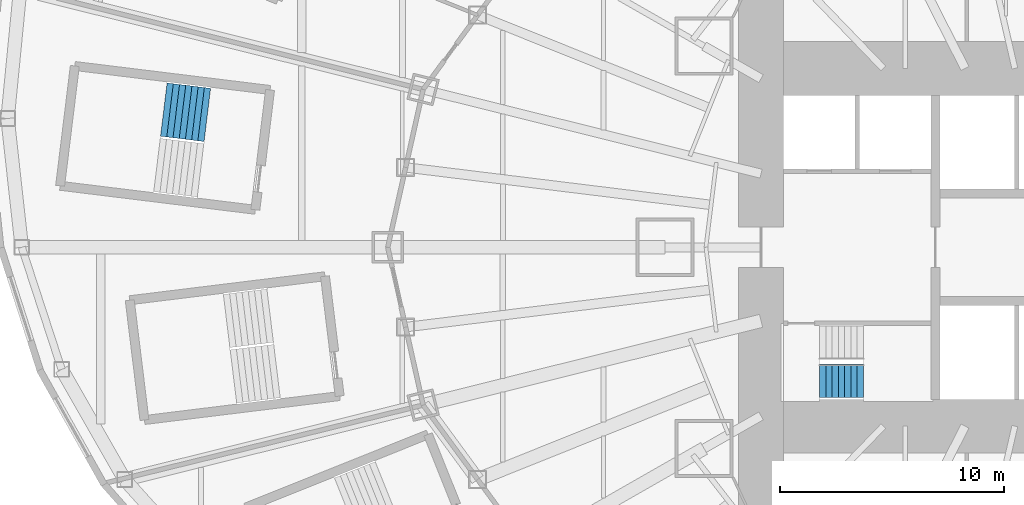
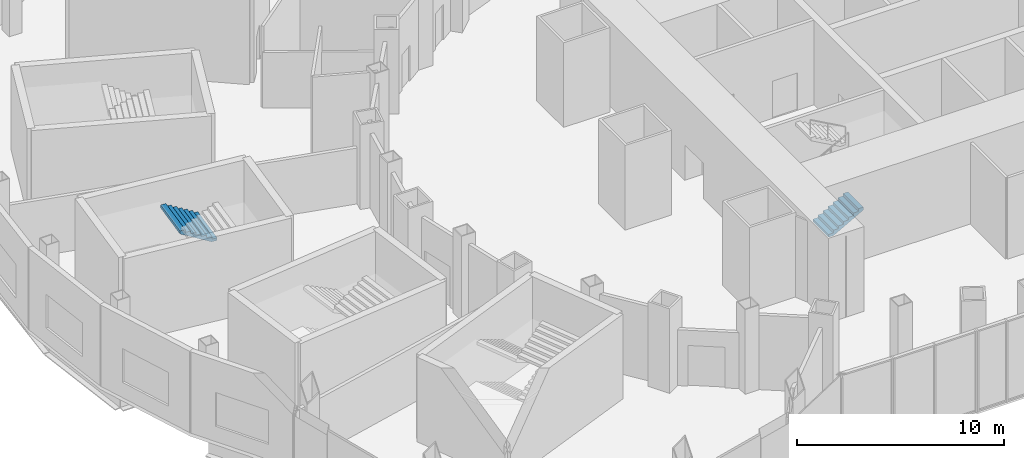
# One storey, part 30 of 73: 2 stair flights, 2 elements without a shape of their own.
"""IFC4 building model written with IfcOpenShell, lengths in metres."""

from ifc_helpers import new_model, si_unit, direction, frame, origin, place, context, subcontext, project, spatial, triangles, material, type_object, element, aggregate, save


model = new_model("IFC4")

# Units and contexts
model_context = context("Model", 3, precision=1e-05, world=origin(), true_north=direction((0.0, 1.0)))
body_context = subcontext(model_context, "Body", "Model", "MODEL_VIEW")
ifc_project = project(units=[si_unit("LENGTHUNIT", "METRE"), si_unit("AREAUNIT", "SQUARE_METRE"), si_unit("VOLUMEUNIT", "CUBIC_METRE"), si_unit("PLANEANGLEUNIT", "RADIAN"), si_unit("MASSUNIT", "GRAM", prefix="KILO")], contexts=[model_context])

# Site, building, storey
site_placement = place(None, origin())
site = spatial("IfcSite", under=ifc_project, at=site_placement, CompositionType="ELEMENT")
building_placement = place(site_placement, origin())
building = spatial("IfcBuilding", under=site, at=building_placement, Name="Lantaw Convention Tower", CompositionType="ELEMENT")
storey_placement = place(building_placement, frame((0.0, 0.0, 22.0)))
storey = spatial("IfcBuildingStorey", under=building, at=storey_placement, Name="L03", CompositionType="ELEMENT", Elevation=22.0)

# Stair, stair flight
ifc_material = material(Name="Concrete C35/45", Category="concrete")
stair_type_1 = type_object("IfcStairType", Name="Exit stair 1500 riser 156.25 in 4 flights", PredefinedType="HALF_TURN_STAIR", material=ifc_material)
stair_1_placement = place(storey_placement, origin())
stair_1 = element("IfcStair", 1, at=stair_1_placement, inside=storey, type_object=stair_type_1, Name="Exit stair S1 L03", PredefinedType="HALF_TURN_STAIR")
stair_flight_type_1 = type_object("IfcStairFlightType", Name="Stair flight 1500 riser 156.25", PredefinedType="STRAIGHT", material=ifc_material)
stair_flight_1_placement = place(storey_placement, frame((-10.580078125, -5.97998046875, 0.0), z_axis=(0.0, 0.0, 1.0), x_axis=(1.0, 0.0, 0.0)))
stair_flight_1 = element("IfcStairFlight", 2, at=stair_flight_1_placement, type_object=stair_flight_type_1, Name="S1 flight 1", NumberOfRisers=8, NumberOfTreads=7, PredefinedType="STRAIGHT", RiserHeight=0.15625, TreadLength=0.28, context=body_context, shape_type="Tessellation", body=[
    triangles([(0.0, 0.75, 0.0), (0.0, 0.75, 0.15625), (0.28, 0.75, 0.0), (0.28, 0.75, 0.15625), (0.28, 0.75, 0.3125), (0.3076200632058044, 0.75, 0.0), (0.3076200632058044, 0.75, 0.3125), (0.56, 0.75, 0.14083701830033238), (0.56, 0.75, 0.3125), (0.56, 0.75, 0.46875), (0.8400000000000001, 0.75, 0.29708701830033235), (0.8400000000000001, 0.75, 0.46875), (0.8400000000000001, 0.75, 0.625), (1.12, 0.75, 0.45333701830033235), (1.12, 0.75, 0.625), (1.12, 0.75, 0.78125), (1.4000000000000001, 0.75, 0.6095870183003324), (1.4000000000000001, 0.75, 0.78125), (1.4000000000000001, 0.75, 0.9375), (1.6800000000000002, 0.75, 0.7658370183003324), (1.6800000000000002, 0.75, 0.9375), (1.6800000000000002, 0.75, 1.09375), (1.9600000000000002, 0.75, 0.9220870183003324), (1.9600000000000002, 0.75, 1.09375), (0.0, -0.75, 0.0), (0.0, -0.75, 0.15625), (0.28, -0.75, 0.0), (0.28, -0.75, 0.15625), (0.28, -0.75, 0.3125), (0.3076200632058044, -0.75, 0.0), (0.3076200632058044, -0.75, 0.3125), (0.56, -0.75, 0.14083701830033238), (0.56, -0.75, 0.3125), (0.56, -0.75, 0.46875), (0.8400000000000001, -0.75, 0.29708701830033235), (0.8400000000000001, -0.75, 0.46875), (0.8400000000000001, -0.75, 0.625), (1.12, -0.75, 0.45333701830033235), (1.12, -0.75, 0.625), (1.12, -0.75, 0.78125), (1.4000000000000001, -0.75, 0.6095870183003324), (1.4000000000000001, -0.75, 0.78125), (1.4000000000000001, -0.75, 0.9375), (1.6800000000000002, -0.75, 0.7658370183003324), (1.6800000000000002, -0.75, 0.9375), (1.6800000000000002, -0.75, 1.09375), (1.9600000000000002, -0.75, 0.9220870183003324), (1.9600000000000002, -0.75, 1.09375), (0.0, 0.15000000000000002, 0.15625), (0.0, 0.15000000000000002, 0.0), (0.0, 0.0, 0.15625), (0.0, 0.0, 0.0), (0.0, -0.15000000000000002, 0.15625), (0.0, -0.15000000000000002, 0.0), (0.28, 0.15000000000000002, 0.3125), (0.28, 0.15000000000000002, 0.15625), (0.28, 0.0, 0.3125), (0.28, 0.0, 0.15625), (0.28, -0.15000000000000002, 0.3125), (0.28, -0.15000000000000002, 0.15625), (0.56, 0.15000000000000002, 0.46875), (0.56, 0.15000000000000002, 0.3125), (0.56, 0.0, 0.46875), (0.56, 0.0, 0.3125), (0.56, -0.15000000000000002, 0.46875), (0.56, -0.15000000000000002, 0.3125), (0.8400000000000001, 0.15000000000000002, 0.625), (0.8400000000000001, 0.15000000000000002, 0.46875), (0.8400000000000001, 0.0, 0.625), (0.8400000000000001, 0.0, 0.46875), (0.8400000000000001, -0.15000000000000002, 0.625), (0.8400000000000001, -0.15000000000000002, 0.46875), (1.12, 0.15000000000000002, 0.78125), (1.12, 0.15000000000000002, 0.625), (1.12, 0.0, 0.78125), (1.12, 0.0, 0.625), (1.12, -0.15000000000000002, 0.78125), (1.12, -0.15000000000000002, 0.625), (1.4000000000000001, 0.15000000000000002, 0.9375), (1.4000000000000001, 0.15000000000000002, 0.78125), (1.4000000000000001, 0.0, 0.9375), (1.4000000000000001, 0.0, 0.78125), (1.4000000000000001, -0.15000000000000002, 0.9375), (1.4000000000000001, -0.15000000000000002, 0.78125), (1.6800000000000002, 0.15000000000000002, 1.09375), (1.6800000000000002, 0.15000000000000002, 0.9375), (1.6800000000000002, 0.0, 1.09375), (1.6800000000000002, 0.0, 0.9375), (1.6800000000000002, -0.15000000000000002, 1.09375), (1.6800000000000002, -0.15000000000000002, 0.9375), (0.3076200632058044, 0.15000000000000002, 0.3125), (0.3076200632058044, 0.0, 0.3125), (0.3076200632058044, -0.15000000000000002, 0.3125), (1.9600000000000002, 0.15000000000000002, 1.09375), (1.9600000000000002, 0.0, 1.09375), (1.9600000000000002, -0.15000000000000002, 1.09375), (1.9600000000000002, 0.15000000000000002, 0.9220870183003324), (1.9600000000000002, 0.0, 0.9220870183003324), (1.9600000000000002, -0.15000000000000002, 0.9220870183003324), (1.6800000000000002, 0.15000000000000002, 0.7658370183003324), (1.6800000000000002, 0.0, 0.7658370183003324), (1.6800000000000002, -0.15000000000000002, 0.7658370183003324), (1.4000000000000001, 0.15000000000000002, 0.6095870183003324), (1.4000000000000001, 0.0, 0.6095870183003324), (1.4000000000000001, -0.15000000000000002, 0.6095870183003324), (1.12, 0.15000000000000002, 0.45333701830033235), (1.12, 0.0, 0.45333701830033235), (1.12, -0.15000000000000002, 0.45333701830033235), (0.8400000000000001, 0.15000000000000002, 0.29708701830033235), (0.8400000000000001, 0.0, 0.29708701830033235), (0.8400000000000001, -0.15000000000000002, 0.29708701830033235), (0.56, 0.15000000000000002, 0.14083701830033238), (0.56, 0.0, 0.14083701830033238), (0.56, -0.15000000000000002, 0.14083701830033238), (0.3076200632058044, 0.15000000000000002, 0.0), (0.3076200632058044, 0.0, 0.0), (0.3076200632058044, -0.15000000000000002, 0.0), (0.28, 0.15000000000000002, 0.0), (0.28, 0.0, 0.0), (0.28, -0.15000000000000002, 0.0)], [[1, 4, 3], [1, 2, 4], [3, 4, 6], [4, 7, 6], [4, 5, 7], [6, 9, 8], [6, 7, 9], [8, 9, 11], [9, 12, 11], [9, 10, 12], [11, 12, 14], [12, 15, 14], [12, 13, 15], [14, 15, 17], [15, 18, 17], [15, 16, 18], [17, 18, 20], [18, 21, 20], [18, 19, 21], [20, 21, 23], [21, 24, 23], [21, 22, 24], [25, 27, 28], [25, 28, 26], [27, 30, 28], [28, 30, 31], [28, 31, 29], [30, 32, 33], [30, 33, 31], [32, 35, 33], [33, 35, 36], [33, 36, 34], [35, 38, 36], [36, 38, 39], [36, 39, 37], [38, 41, 39], [39, 41, 42], [39, 42, 40], [41, 44, 42], [42, 44, 45], [42, 45, 43], [44, 47, 45], [45, 47, 48], [45, 48, 46], [1, 49, 2], [1, 50, 49], [50, 51, 49], [50, 52, 51], [52, 53, 51], [52, 54, 53], [54, 26, 53], [54, 25, 26], [4, 55, 5], [4, 56, 55], [56, 57, 55], [56, 58, 57], [58, 59, 57], [58, 60, 59], [60, 29, 59], [60, 28, 29], [9, 61, 10], [9, 62, 61], [62, 63, 61], [62, 64, 63], [64, 65, 63], [64, 66, 65], [66, 34, 65], [66, 33, 34], [12, 67, 13], [12, 68, 67], [68, 69, 67], [68, 70, 69], [70, 71, 69], [70, 72, 71], [72, 37, 71], [72, 36, 37], [15, 73, 16], [15, 74, 73], [74, 75, 73], [74, 76, 75], [76, 77, 75], [76, 78, 77], [78, 40, 77], [78, 39, 40], [18, 79, 19], [18, 80, 79], [80, 81, 79], [80, 82, 81], [82, 83, 81], [82, 84, 83], [84, 43, 83], [84, 42, 43], [21, 85, 22], [21, 86, 85], [86, 87, 85], [86, 88, 87], [88, 89, 87], [88, 90, 89], [90, 46, 89], [90, 45, 46], [2, 56, 4], [2, 49, 56], [49, 58, 56], [49, 51, 58], [51, 60, 58], [51, 53, 60], [53, 28, 60], [53, 26, 28], [5, 91, 7], [5, 55, 91], [55, 92, 91], [55, 57, 92], [57, 93, 92], [57, 59, 93], [59, 31, 93], [59, 29, 31], [7, 62, 9], [7, 91, 62], [91, 64, 62], [91, 92, 64], [92, 66, 64], [92, 93, 66], [93, 33, 66], [93, 31, 33], [10, 68, 12], [10, 61, 68], [61, 70, 68], [61, 63, 70], [63, 72, 70], [63, 65, 72], [65, 36, 72], [65, 34, 36], [13, 74, 15], [13, 67, 74], [67, 76, 74], [67, 69, 76], [69, 78, 76], [69, 71, 78], [71, 39, 78], [71, 37, 39], [16, 80, 18], [16, 73, 80], [73, 82, 80], [73, 75, 82], [75, 84, 82], [75, 77, 84], [77, 42, 84], [77, 40, 42], [19, 86, 21], [19, 79, 86], [79, 88, 86], [79, 81, 88], [81, 90, 88], [81, 83, 90], [83, 45, 90], [83, 43, 45], [22, 94, 24], [22, 85, 94], [85, 95, 94], [85, 87, 95], [87, 96, 95], [87, 89, 96], [89, 48, 96], [89, 46, 48], [24, 97, 23], [24, 94, 97], [94, 98, 97], [94, 95, 98], [95, 99, 98], [95, 96, 99], [96, 47, 99], [96, 48, 47], [23, 100, 20], [23, 97, 100], [97, 101, 100], [97, 98, 101], [98, 102, 101], [98, 99, 102], [99, 44, 102], [99, 47, 44], [20, 103, 17], [20, 100, 103], [100, 104, 103], [100, 101, 104], [101, 105, 104], [101, 102, 105], [102, 41, 105], [102, 44, 41], [17, 106, 14], [17, 103, 106], [103, 107, 106], [103, 104, 107], [104, 108, 107], [104, 105, 108], [105, 38, 108], [105, 41, 38], [14, 109, 11], [14, 106, 109], [106, 110, 109], [106, 107, 110], [107, 111, 110], [107, 108, 111], [108, 35, 111], [108, 38, 35], [11, 112, 8], [11, 109, 112], [109, 113, 112], [109, 110, 113], [110, 114, 113], [110, 111, 114], [111, 32, 114], [111, 35, 32], [8, 115, 6], [8, 112, 115], [112, 116, 115], [112, 113, 116], [113, 117, 116], [113, 114, 117], [114, 30, 117], [114, 32, 30], [6, 118, 3], [6, 115, 118], [115, 119, 118], [115, 116, 119], [116, 120, 119], [116, 117, 120], [117, 27, 120], [117, 30, 27], [3, 50, 1], [3, 118, 50], [118, 52, 50], [118, 119, 52], [119, 54, 52], [119, 120, 54], [120, 25, 54], [120, 27, 25]], closed=True),
])
aggregate(stair_1, [stair_flight_1])

stair_type_2 = type_object("IfcStairType", Name="Exit stair 2400 riser 156.25 in 4 flights", PredefinedType="HALF_TURN_STAIR", material=ifc_material)
stair_2_placement = place(storey_placement, origin())
stair_2 = element("IfcStair", 3, at=stair_2_placement, inside=storey, type_object=stair_type_2, Name="Podium exit stair P9 L03", PredefinedType="HALF_TURN_STAIR")
stair_flight_type_2 = type_object("IfcStairFlightType", Name="Stair flight 2400 riser 156.25", PredefinedType="STRAIGHT", material=ifc_material)
stair_flight_2_placement = place(storey_placement, frame((-37.9716796875, 5.921630859375, 2.5), z_axis=(0.0, 0.0, 1.0), x_axis=(-0.992546151641, 0.121869343405, 0.0)))
stair_flight_2 = element("IfcStairFlight", 4, at=stair_flight_2_placement, type_object=stair_flight_type_2, Name="P9 flight 3", NumberOfRisers=8, NumberOfTreads=7, PredefinedType="STRAIGHT", RiserHeight=0.15625, TreadLength=0.28, context=body_context, shape_type="Tessellation", body=[
    triangles([(0.0, 1.199951171875, 0.0), (0.0, 1.199951171875, 0.15625), (0.28, 1.199951171875, 0.0), (0.28, 1.199951171875, 0.15625), (0.28, 1.199951171875, 0.3125), (0.3076200632058044, 1.199951171875, 0.0), (0.3076200632058044, 1.199951171875, 0.3125), (0.56, 1.199951171875, 0.14083701830033238), (0.56, 1.199951171875, 0.3125), (0.56, 1.199951171875, 0.46875), (0.8400000000000001, 1.199951171875, 0.29708701830033235), (0.8400000000000001, 1.199951171875, 0.46875), (0.8400000000000001, 1.199951171875, 0.625), (1.12, 1.199951171875, 0.45333701830033235), (1.12, 1.199951171875, 0.625), (1.12, 1.199951171875, 0.78125), (1.4000000000000001, 1.199951171875, 0.6095870183003324), (1.4000000000000001, 1.199951171875, 0.78125), (1.4000000000000001, 1.199951171875, 0.9375), (1.6800000000000002, 1.199951171875, 0.7658370183003324), (1.6800000000000002, 1.199951171875, 0.9375), (1.6800000000000002, 1.199951171875, 1.09375), (1.9600000000000002, 1.199951171875, 0.9220870183003324), (1.9600000000000002, 1.199951171875, 1.09375), (0.0, -1.199951171875, 0.0), (0.0, -1.199951171875, 0.15625), (0.28, -1.199951171875, 0.0), (0.28, -1.199951171875, 0.15625), (0.28, -1.199951171875, 0.3125), (0.3076200632058044, -1.199951171875, 0.0), (0.3076200632058044, -1.199951171875, 0.3125), (0.56, -1.199951171875, 0.14083701830033238), (0.56, -1.199951171875, 0.3125), (0.56, -1.199951171875, 0.46875), (0.8400000000000001, -1.199951171875, 0.29708701830033235), (0.8400000000000001, -1.199951171875, 0.46875), (0.8400000000000001, -1.199951171875, 0.625), (1.12, -1.199951171875, 0.45333701830033235), (1.12, -1.199951171875, 0.625), (1.12, -1.199951171875, 0.78125), (1.4000000000000001, -1.199951171875, 0.6095870183003324), (1.4000000000000001, -1.199951171875, 0.78125), (1.4000000000000001, -1.199951171875, 0.9375), (1.6800000000000002, -1.199951171875, 0.7658370183003324), (1.6800000000000002, -1.199951171875, 0.9375), (1.6800000000000002, -1.199951171875, 1.09375), (1.9600000000000002, -1.199951171875, 0.9220870183003324), (1.9600000000000002, -1.199951171875, 1.09375), (0.0, 0.239990234375, 0.15625), (0.0, 0.239990234375, 0.0), (0.0, 0.1919921875, 0.15625), (0.0, 0.1919921875, 0.0), (0.0, 0.143994140625, 0.15625), (0.0, 0.143994140625, 0.0), (0.0, 0.09599609375, 0.15625), (0.0, 0.09599609375, 0.0), (0.0, 0.047998046875, 0.15625), (0.0, 0.047998046875, 0.0), (0.0, 0.0, 0.15625), (0.0, 0.0, 0.0), (0.0, -0.047998046875, 0.15625), (0.0, -0.047998046875, 0.0), (0.0, -0.09599609375, 0.15625), (0.0, -0.09599609375, 0.0), (0.0, -0.143994140625, 0.15625), (0.0, -0.143994140625, 0.0), (0.0, -0.1919921875, 0.15625), (0.0, -0.1919921875, 0.0), (0.0, -0.239990234375, 0.15625), (0.0, -0.239990234375, 0.0), (0.28, 0.239990234375, 0.3125), (0.28, 0.239990234375, 0.15625), (0.28, 0.1919921875, 0.3125), (0.28, 0.1919921875, 0.15625), (0.28, 0.143994140625, 0.3125), (0.28, 0.143994140625, 0.15625), (0.28, 0.09599609375, 0.3125), (0.28, 0.09599609375, 0.15625), (0.28, 0.047998046875, 0.3125), (0.28, 0.047998046875, 0.15625), (0.28, 0.0, 0.3125), (0.28, 0.0, 0.15625), (0.28, -0.047998046875, 0.3125), (0.28, -0.047998046875, 0.15625), (0.28, -0.09599609375, 0.3125), (0.28, -0.09599609375, 0.15625), (0.28, -0.143994140625, 0.3125), (0.28, -0.143994140625, 0.15625), (0.28, -0.1919921875, 0.3125), (0.28, -0.1919921875, 0.15625), (0.28, -0.239990234375, 0.3125), (0.28, -0.239990234375, 0.15625), (0.56, 0.239990234375, 0.46875), (0.56, 0.239990234375, 0.3125), (0.56, 0.1919921875, 0.46875), (0.56, 0.1919921875, 0.3125), (0.56, 0.143994140625, 0.46875), (0.56, 0.143994140625, 0.3125), (0.56, 0.09599609375, 0.46875), (0.56, 0.09599609375, 0.3125), (0.56, 0.047998046875, 0.46875), (0.56, 0.047998046875, 0.3125), (0.56, 0.0, 0.46875), (0.56, 0.0, 0.3125), (0.56, -0.047998046875, 0.46875), (0.56, -0.047998046875, 0.3125), (0.56, -0.09599609375, 0.46875), (0.56, -0.09599609375, 0.3125), (0.56, -0.143994140625, 0.46875), (0.56, -0.143994140625, 0.3125), (0.56, -0.1919921875, 0.46875), (0.56, -0.1919921875, 0.3125), (0.56, -0.239990234375, 0.46875), (0.56, -0.239990234375, 0.3125), (0.8400000000000001, 0.239990234375, 0.625), (0.8400000000000001, 0.239990234375, 0.46875), (0.8400000000000001, 0.1919921875, 0.625), (0.8400000000000001, 0.1919921875, 0.46875), (0.8400000000000001, 0.143994140625, 0.625), (0.8400000000000001, 0.143994140625, 0.46875), (0.8400000000000001, 0.09599609375, 0.625), (0.8400000000000001, 0.09599609375, 0.46875), (0.8400000000000001, 0.047998046875, 0.625), (0.8400000000000001, 0.047998046875, 0.46875), (0.8400000000000001, 0.0, 0.625), (0.8400000000000001, 0.0, 0.46875), (0.8400000000000001, -0.047998046875, 0.625), (0.8400000000000001, -0.047998046875, 0.46875), (0.8400000000000001, -0.09599609375, 0.625), (0.8400000000000001, -0.09599609375, 0.46875), (0.8400000000000001, -0.143994140625, 0.625), (0.8400000000000001, -0.143994140625, 0.46875), (0.8400000000000001, -0.1919921875, 0.625), (0.8400000000000001, -0.1919921875, 0.46875), (0.8400000000000001, -0.239990234375, 0.625), (0.8400000000000001, -0.239990234375, 0.46875), (1.12, 0.239990234375, 0.78125), (1.12, 0.239990234375, 0.625), (1.12, 0.1919921875, 0.78125), (1.12, 0.1919921875, 0.625), (1.12, 0.143994140625, 0.78125), (1.12, 0.143994140625, 0.625), (1.12, 0.09599609375, 0.78125), (1.12, 0.09599609375, 0.625), (1.12, 0.047998046875, 0.78125), (1.12, 0.047998046875, 0.625), (1.12, 0.0, 0.78125), (1.12, 0.0, 0.625), (1.12, -0.047998046875, 0.78125), (1.12, -0.047998046875, 0.625), (1.12, -0.09599609375, 0.78125), (1.12, -0.09599609375, 0.625), (1.12, -0.143994140625, 0.78125), (1.12, -0.143994140625, 0.625), (1.12, -0.1919921875, 0.78125), (1.12, -0.1919921875, 0.625), (1.12, -0.239990234375, 0.78125), (1.12, -0.239990234375, 0.625), (1.4000000000000001, 0.239990234375, 0.9375), (1.4000000000000001, 0.239990234375, 0.78125), (1.4000000000000001, 0.1919921875, 0.9375), (1.4000000000000001, 0.1919921875, 0.78125), (1.4000000000000001, 0.143994140625, 0.9375), (1.4000000000000001, 0.143994140625, 0.78125), (1.4000000000000001, 0.09599609375, 0.9375), (1.4000000000000001, 0.09599609375, 0.78125), (1.4000000000000001, 0.047998046875, 0.9375), (1.4000000000000001, 0.047998046875, 0.78125), (1.4000000000000001, 0.0, 0.9375), (1.4000000000000001, 0.0, 0.78125), (1.4000000000000001, -0.047998046875, 0.9375), (1.4000000000000001, -0.047998046875, 0.78125), (1.4000000000000001, -0.09599609375, 0.9375), (1.4000000000000001, -0.09599609375, 0.78125), (1.4000000000000001, -0.143994140625, 0.9375), (1.4000000000000001, -0.143994140625, 0.78125), (1.4000000000000001, -0.1919921875, 0.9375), (1.4000000000000001, -0.1919921875, 0.78125), (1.4000000000000001, -0.239990234375, 0.9375), (1.4000000000000001, -0.239990234375, 0.78125), (1.6800000000000002, 0.239990234375, 1.09375), (1.6800000000000002, 0.239990234375, 0.9375), (1.6800000000000002, 0.1919921875, 1.09375), (1.6800000000000002, 0.1919921875, 0.9375), (1.6800000000000002, 0.143994140625, 1.09375), (1.6800000000000002, 0.143994140625, 0.9375), (1.6800000000000002, 0.09599609375, 1.09375), (1.6800000000000002, 0.09599609375, 0.9375), (1.6800000000000002, 0.047998046875, 1.09375), (1.6800000000000002, 0.047998046875, 0.9375), (1.6800000000000002, 0.0, 1.09375), (1.6800000000000002, 0.0, 0.9375), (1.6800000000000002, -0.047998046875, 1.09375), (1.6800000000000002, -0.047998046875, 0.9375), (1.6800000000000002, -0.09599609375, 1.09375), (1.6800000000000002, -0.09599609375, 0.9375), (1.6800000000000002, -0.143994140625, 1.09375), (1.6800000000000002, -0.143994140625, 0.9375), (1.6800000000000002, -0.1919921875, 1.09375), (1.6800000000000002, -0.1919921875, 0.9375), (1.6800000000000002, -0.239990234375, 1.09375), (1.6800000000000002, -0.239990234375, 0.9375), (0.3076200632058044, 0.239990234375, 0.3125), (0.3076200632058044, 0.1919921875, 0.3125), (0.3076200632058044, 0.143994140625, 0.3125), (0.3076200632058044, 0.09599609375, 0.3125), (0.3076200632058044, 0.047998046875, 0.3125), (0.3076200632058044, 0.0, 0.3125), (0.3076200632058044, -0.047998046875, 0.3125), (0.3076200632058044, -0.09599609375, 0.3125), (0.3076200632058044, -0.143994140625, 0.3125), (0.3076200632058044, -0.1919921875, 0.3125), (0.3076200632058044, -0.239990234375, 0.3125), (1.9600000000000002, 0.239990234375, 1.09375), (1.9600000000000002, 0.1919921875, 1.09375), (1.9600000000000002, 0.143994140625, 1.09375), (1.9600000000000002, 0.09599609375, 1.09375), (1.9600000000000002, 0.047998046875, 1.09375), (1.9600000000000002, 0.0, 1.09375), (1.9600000000000002, -0.047998046875, 1.09375), (1.9600000000000002, -0.09599609375, 1.09375), (1.9600000000000002, -0.143994140625, 1.09375), (1.9600000000000002, -0.1919921875, 1.09375), (1.9600000000000002, -0.239990234375, 1.09375), (1.9600000000000002, 0.239990234375, 0.9220870183003324), (1.9600000000000002, 0.1919921875, 0.9220870183003324), (1.9600000000000002, 0.143994140625, 0.9220870183003324), (1.9600000000000002, 0.09599609375, 0.9220870183003324), (1.9600000000000002, 0.047998046875, 0.9220870183003324), (1.9600000000000002, 0.0, 0.9220870183003324), (1.9600000000000002, -0.047998046875, 0.9220870183003324), (1.9600000000000002, -0.09599609375, 0.9220870183003324), (1.9600000000000002, -0.143994140625, 0.9220870183003324), (1.9600000000000002, -0.1919921875, 0.9220870183003324), (1.9600000000000002, -0.239990234375, 0.9220870183003324), (1.6800000000000002, 0.239990234375, 0.7658370183003324), (1.6800000000000002, 0.1919921875, 0.7658370183003324), (1.6800000000000002, 0.143994140625, 0.7658370183003324), (1.6800000000000002, 0.09599609375, 0.7658370183003324), (1.6800000000000002, 0.047998046875, 0.7658370183003324), (1.6800000000000002, 0.0, 0.7658370183003324), (1.6800000000000002, -0.047998046875, 0.7658370183003324), (1.6800000000000002, -0.09599609375, 0.7658370183003324), (1.6800000000000002, -0.143994140625, 0.7658370183003324), (1.6800000000000002, -0.1919921875, 0.7658370183003324), (1.6800000000000002, -0.239990234375, 0.7658370183003324), (1.4000000000000001, 0.239990234375, 0.6095870183003324), (1.4000000000000001, 0.1919921875, 0.6095870183003324), (1.4000000000000001, 0.143994140625, 0.6095870183003324), (1.4000000000000001, 0.09599609375, 0.6095870183003324), (1.4000000000000001, 0.047998046875, 0.6095870183003324), (1.4000000000000001, 0.0, 0.6095870183003324), (1.4000000000000001, -0.047998046875, 0.6095870183003324), (1.4000000000000001, -0.09599609375, 0.6095870183003324), (1.4000000000000001, -0.143994140625, 0.6095870183003324), (1.4000000000000001, -0.1919921875, 0.6095870183003324), (1.4000000000000001, -0.239990234375, 0.6095870183003324), (1.12, 0.239990234375, 0.45333701830033235), (1.12, 0.1919921875, 0.45333701830033235), (1.12, 0.143994140625, 0.45333701830033235), (1.12, 0.09599609375, 0.45333701830033235), (1.12, 0.047998046875, 0.45333701830033235), (1.12, 0.0, 0.45333701830033235), (1.12, -0.047998046875, 0.45333701830033235), (1.12, -0.09599609375, 0.45333701830033235), (1.12, -0.143994140625, 0.45333701830033235), (1.12, -0.1919921875, 0.45333701830033235), (1.12, -0.239990234375, 0.45333701830033235), (0.8400000000000001, 0.239990234375, 0.29708701830033235), (0.8400000000000001, 0.1919921875, 0.29708701830033235), (0.8400000000000001, 0.143994140625, 0.29708701830033235), (0.8400000000000001, 0.09599609375, 0.29708701830033235), (0.8400000000000001, 0.047998046875, 0.29708701830033235), (0.8400000000000001, 0.0, 0.29708701830033235), (0.8400000000000001, -0.047998046875, 0.29708701830033235), (0.8400000000000001, -0.09599609375, 0.29708701830033235), (0.8400000000000001, -0.143994140625, 0.29708701830033235), (0.8400000000000001, -0.1919921875, 0.29708701830033235), (0.8400000000000001, -0.239990234375, 0.29708701830033235), (0.56, 0.239990234375, 0.14083701830033238), (0.56, 0.1919921875, 0.14083701830033238), (0.56, 0.143994140625, 0.14083701830033238), (0.56, 0.09599609375, 0.14083701830033238), (0.56, 0.047998046875, 0.14083701830033238), (0.56, 0.0, 0.14083701830033238), (0.56, -0.047998046875, 0.14083701830033238), (0.56, -0.09599609375, 0.14083701830033238), (0.56, -0.143994140625, 0.14083701830033238), (0.56, -0.1919921875, 0.14083701830033238), (0.56, -0.239990234375, 0.14083701830033238), (0.3076200632058044, 0.239990234375, 0.0), (0.3076200632058044, 0.1919921875, 0.0), (0.3076200632058044, 0.143994140625, 0.0), (0.3076200632058044, 0.09599609375, 0.0), (0.3076200632058044, 0.047998046875, 0.0), (0.3076200632058044, 0.0, 0.0), (0.3076200632058044, -0.047998046875, 0.0), (0.3076200632058044, -0.09599609375, 0.0), (0.3076200632058044, -0.143994140625, 0.0), (0.3076200632058044, -0.1919921875, 0.0), (0.3076200632058044, -0.239990234375, 0.0), (0.28, 0.239990234375, 0.0), (0.28, 0.1919921875, 0.0), (0.28, 0.143994140625, 0.0), (0.28, 0.09599609375, 0.0), (0.28, 0.047998046875, 0.0), (0.28, 0.0, 0.0), (0.28, -0.047998046875, 0.0), (0.28, -0.09599609375, 0.0), (0.28, -0.143994140625, 0.0), (0.28, -0.1919921875, 0.0), (0.28, -0.239990234375, 0.0)], [[1, 4, 3], [1, 2, 4], [3, 4, 6], [4, 7, 6], [4, 5, 7], [6, 9, 8], [6, 7, 9], [8, 9, 11], [9, 12, 11], [9, 10, 12], [11, 12, 14], [12, 15, 14], [12, 13, 15], [14, 15, 17], [15, 18, 17], [15, 16, 18], [17, 18, 20], [18, 21, 20], [18, 19, 21], [20, 21, 23], [21, 24, 23], [21, 22, 24], [25, 27, 28], [25, 28, 26], [27, 30, 28], [28, 30, 31], [28, 31, 29], [30, 32, 33], [30, 33, 31], [32, 35, 33], [33, 35, 36], [33, 36, 34], [35, 38, 36], [36, 38, 39], [36, 39, 37], [38, 41, 39], [39, 41, 42], [39, 42, 40], [41, 44, 42], [42, 44, 45], [42, 45, 43], [44, 47, 45], [45, 47, 48], [45, 48, 46], [1, 49, 2], [1, 50, 49], [50, 51, 49], [50, 52, 51], [52, 53, 51], [52, 54, 53], [54, 55, 53], [54, 56, 55], [56, 57, 55], [56, 58, 57], [58, 59, 57], [58, 60, 59], [60, 61, 59], [60, 62, 61], [62, 63, 61], [62, 64, 63], [64, 65, 63], [64, 66, 65], [66, 67, 65], [66, 68, 67], [68, 69, 67], [68, 70, 69], [70, 26, 69], [70, 25, 26], [4, 71, 5], [4, 72, 71], [72, 73, 71], [72, 74, 73], [74, 75, 73], [74, 76, 75], [76, 77, 75], [76, 78, 77], [78, 79, 77], [78, 80, 79], [80, 81, 79], [80, 82, 81], [82, 83, 81], [82, 84, 83], [84, 85, 83], [84, 86, 85], [86, 87, 85], [86, 88, 87], [88, 89, 87], [88, 90, 89], [90, 91, 89], [90, 92, 91], [92, 29, 91], [92, 28, 29], [9, 93, 10], [9, 94, 93], [94, 95, 93], [94, 96, 95], [96, 97, 95], [96, 98, 97], [98, 99, 97], [98, 100, 99], [100, 101, 99], [100, 102, 101], [102, 103, 101], [102, 104, 103], [104, 105, 103], [104, 106, 105], [106, 107, 105], [106, 108, 107], [108, 109, 107], [108, 110, 109], [110, 111, 109], [110, 112, 111], [112, 113, 111], [112, 114, 113], [114, 34, 113], [114, 33, 34], [12, 115, 13], [12, 116, 115], [116, 117, 115], [116, 118, 117], [118, 119, 117], [118, 120, 119], [120, 121, 119], [120, 122, 121], [122, 123, 121], [122, 124, 123], [124, 125, 123], [124, 126, 125], [126, 127, 125], [126, 128, 127], [128, 129, 127], [128, 130, 129], [130, 131, 129], [130, 132, 131], [132, 133, 131], [132, 134, 133], [134, 135, 133], [134, 136, 135], [136, 37, 135], [136, 36, 37], [15, 137, 16], [15, 138, 137], [138, 139, 137], [138, 140, 139], [140, 141, 139], [140, 142, 141], [142, 143, 141], [142, 144, 143], [144, 145, 143], [144, 146, 145], [146, 147, 145], [146, 148, 147], [148, 149, 147], [148, 150, 149], [150, 151, 149], [150, 152, 151], [152, 153, 151], [152, 154, 153], [154, 155, 153], [154, 156, 155], [156, 157, 155], [156, 158, 157], [158, 40, 157], [158, 39, 40], [18, 159, 19], [18, 160, 159], [160, 161, 159], [160, 162, 161], [162, 163, 161], [162, 164, 163], [164, 165, 163], [164, 166, 165], [166, 167, 165], [166, 168, 167], [168, 169, 167], [168, 170, 169], [170, 171, 169], [170, 172, 171], [172, 173, 171], [172, 174, 173], [174, 175, 173], [174, 176, 175], [176, 177, 175], [176, 178, 177], [178, 179, 177], [178, 180, 179], [180, 43, 179], [180, 42, 43], [21, 181, 22], [21, 182, 181], [182, 183, 181], [182, 184, 183], [184, 185, 183], [184, 186, 185], [186, 187, 185], [186, 188, 187], [188, 189, 187], [188, 190, 189], [190, 191, 189], [190, 192, 191], [192, 193, 191], [192, 194, 193], [194, 195, 193], [194, 196, 195], [196, 197, 195], [196, 198, 197], [198, 199, 197], [198, 200, 199], [200, 201, 199], [200, 202, 201], [202, 46, 201], [202, 45, 46], [2, 72, 4], [2, 49, 72], [49, 74, 72], [49, 51, 74], [51, 76, 74], [51, 53, 76], [53, 78, 76], [53, 55, 78], [55, 80, 78], [55, 57, 80], [57, 82, 80], [57, 59, 82], [59, 84, 82], [59, 61, 84], [61, 86, 84], [61, 63, 86], [63, 88, 86], [63, 65, 88], [65, 90, 88], [65, 67, 90], [67, 92, 90], [67, 69, 92], [69, 28, 92], [69, 26, 28], [5, 203, 7], [5, 71, 203], [71, 204, 203], [71, 73, 204], [73, 205, 204], [73, 75, 205], [75, 206, 205], [75, 77, 206], [77, 207, 206], [77, 79, 207], [79, 208, 207], [79, 81, 208], [81, 209, 208], [81, 83, 209], [83, 210, 209], [83, 85, 210], [85, 211, 210], [85, 87, 211], [87, 212, 211], [87, 89, 212], [89, 213, 212], [89, 91, 213], [91, 31, 213], [91, 29, 31], [7, 94, 9], [7, 203, 94], [203, 96, 94], [203, 204, 96], [204, 98, 96], [204, 205, 98], [205, 100, 98], [205, 206, 100], [206, 102, 100], [206, 207, 102], [207, 104, 102], [207, 208, 104], [208, 106, 104], [208, 209, 106], [209, 108, 106], [209, 210, 108], [210, 110, 108], [210, 211, 110], [211, 112, 110], [211, 212, 112], [212, 114, 112], [212, 213, 114], [213, 33, 114], [213, 31, 33], [10, 116, 12], [10, 93, 116], [93, 118, 116], [93, 95, 118], [95, 120, 118], [95, 97, 120], [97, 122, 120], [97, 99, 122], [99, 124, 122], [99, 101, 124], [101, 126, 124], [101, 103, 126], [103, 128, 126], [103, 105, 128], [105, 130, 128], [105, 107, 130], [107, 132, 130], [107, 109, 132], [109, 134, 132], [109, 111, 134], [111, 136, 134], [111, 113, 136], [113, 36, 136], [113, 34, 36], [13, 138, 15], [13, 115, 138], [115, 140, 138], [115, 117, 140], [117, 142, 140], [117, 119, 142], [119, 144, 142], [119, 121, 144], [121, 146, 144], [121, 123, 146], [123, 148, 146], [123, 125, 148], [125, 150, 148], [125, 127, 150], [127, 152, 150], [127, 129, 152], [129, 154, 152], [129, 131, 154], [131, 156, 154], [131, 133, 156], [133, 158, 156], [133, 135, 158], [135, 39, 158], [135, 37, 39], [16, 160, 18], [16, 137, 160], [137, 162, 160], [137, 139, 162], [139, 164, 162], [139, 141, 164], [141, 166, 164], [141, 143, 166], [143, 168, 166], [143, 145, 168], [145, 170, 168], [145, 147, 170], [147, 172, 170], [147, 149, 172], [149, 174, 172], [149, 151, 174], [151, 176, 174], [151, 153, 176], [153, 178, 176], [153, 155, 178], [155, 180, 178], [155, 157, 180], [157, 42, 180], [157, 40, 42], [19, 182, 21], [19, 159, 182], [159, 184, 182], [159, 161, 184], [161, 186, 184], [161, 163, 186], [163, 188, 186], [163, 165, 188], [165, 190, 188], [165, 167, 190], [167, 192, 190], [167, 169, 192], [169, 194, 192], [169, 171, 194], [171, 196, 194], [171, 173, 196], [173, 198, 196], [173, 175, 198], [175, 200, 198], [175, 177, 200], [177, 202, 200], [177, 179, 202], [179, 45, 202], [179, 43, 45], [22, 214, 24], [22, 181, 214], [181, 215, 214], [181, 183, 215], [183, 216, 215], [183, 185, 216], [185, 217, 216], [185, 187, 217], [187, 218, 217], [187, 189, 218], [189, 219, 218], [189, 191, 219], [191, 220, 219], [191, 193, 220], [193, 221, 220], [193, 195, 221], [195, 222, 221], [195, 197, 222], [197, 223, 222], [197, 199, 223], [199, 224, 223], [199, 201, 224], [201, 48, 224], [201, 46, 48], [24, 225, 23], [24, 214, 225], [214, 226, 225], [214, 215, 226], [215, 227, 226], [215, 216, 227], [216, 228, 227], [216, 217, 228], [217, 229, 228], [217, 218, 229], [218, 230, 229], [218, 219, 230], [219, 231, 230], [219, 220, 231], [220, 232, 231], [220, 221, 232], [221, 233, 232], [221, 222, 233], [222, 234, 233], [222, 223, 234], [223, 235, 234], [223, 224, 235], [224, 47, 235], [224, 48, 47], [23, 236, 20], [23, 225, 236], [225, 237, 236], [225, 226, 237], [226, 238, 237], [226, 227, 238], [227, 239, 238], [227, 228, 239], [228, 240, 239], [228, 229, 240], [229, 241, 240], [229, 230, 241], [230, 242, 241], [230, 231, 242], [231, 243, 242], [231, 232, 243], [232, 244, 243], [232, 233, 244], [233, 245, 244], [233, 234, 245], [234, 246, 245], [234, 235, 246], [235, 44, 246], [235, 47, 44], [20, 247, 17], [20, 236, 247], [236, 248, 247], [236, 237, 248], [237, 249, 248], [237, 238, 249], [238, 250, 249], [238, 239, 250], [239, 251, 250], [239, 240, 251], [240, 252, 251], [240, 241, 252], [241, 253, 252], [241, 242, 253], [242, 254, 253], [242, 243, 254], [243, 255, 254], [243, 244, 255], [244, 256, 255], [244, 245, 256], [245, 257, 256], [245, 246, 257], [246, 41, 257], [246, 44, 41], [17, 258, 14], [17, 247, 258], [247, 259, 258], [247, 248, 259], [248, 260, 259], [248, 249, 260], [249, 261, 260], [249, 250, 261], [250, 262, 261], [250, 251, 262], [251, 263, 262], [251, 252, 263], [252, 264, 263], [252, 253, 264], [253, 265, 264], [253, 254, 265], [254, 266, 265], [254, 255, 266], [255, 267, 266], [255, 256, 267], [256, 268, 267], [256, 257, 268], [257, 38, 268], [257, 41, 38], [14, 269, 11], [14, 258, 269], [258, 270, 269], [258, 259, 270], [259, 271, 270], [259, 260, 271], [260, 272, 271], [260, 261, 272], [261, 273, 272], [261, 262, 273], [262, 274, 273], [262, 263, 274], [263, 275, 274], [263, 264, 275], [264, 276, 275], [264, 265, 276], [265, 277, 276], [265, 266, 277], [266, 278, 277], [266, 267, 278], [267, 279, 278], [267, 268, 279], [268, 35, 279], [268, 38, 35], [11, 280, 8], [11, 269, 280], [269, 281, 280], [269, 270, 281], [270, 282, 281], [270, 271, 282], [271, 283, 282], [271, 272, 283], [272, 284, 283], [272, 273, 284], [273, 285, 284], [273, 274, 285], [274, 286, 285], [274, 275, 286], [275, 287, 286], [275, 276, 287], [276, 288, 287], [276, 277, 288], [277, 289, 288], [277, 278, 289], [278, 290, 289], [278, 279, 290], [279, 32, 290], [279, 35, 32], [8, 291, 6], [8, 280, 291], [280, 292, 291], [280, 281, 292], [281, 293, 292], [281, 282, 293], [282, 294, 293], [282, 283, 294], [283, 295, 294], [283, 284, 295], [284, 296, 295], [284, 285, 296], [285, 297, 296], [285, 286, 297], [286, 298, 297], [286, 287, 298], [287, 299, 298], [287, 288, 299], [288, 300, 299], [288, 289, 300], [289, 301, 300], [289, 290, 301], [290, 30, 301], [290, 32, 30], [6, 302, 3], [6, 291, 302], [291, 303, 302], [291, 292, 303], [292, 304, 303], [292, 293, 304], [293, 305, 304], [293, 294, 305], [294, 306, 305], [294, 295, 306], [295, 307, 306], [295, 296, 307], [296, 308, 307], [296, 297, 308], [297, 309, 308], [297, 298, 309], [298, 310, 309], [298, 299, 310], [299, 311, 310], [299, 300, 311], [300, 312, 311], [300, 301, 312], [301, 27, 312], [301, 30, 27], [3, 50, 1], [3, 302, 50], [302, 52, 50], [302, 303, 52], [303, 54, 52], [303, 304, 54], [304, 56, 54], [304, 305, 56], [305, 58, 56], [305, 306, 58], [306, 60, 58], [306, 307, 60], [307, 62, 60], [307, 308, 62], [308, 64, 62], [308, 309, 64], [309, 66, 64], [309, 310, 66], [310, 68, 66], [310, 311, 68], [311, 70, 68], [311, 312, 70], [312, 25, 70], [312, 27, 25]], closed=True),
])
aggregate(stair_2, [stair_flight_2])

save(model, "model.ifc")
